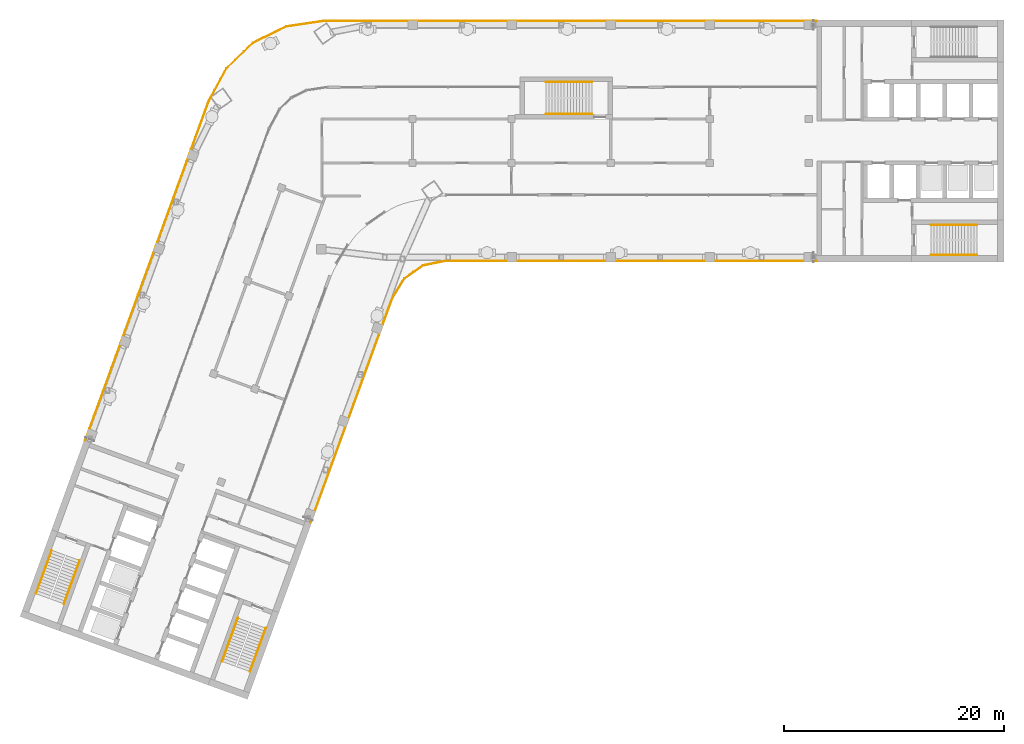
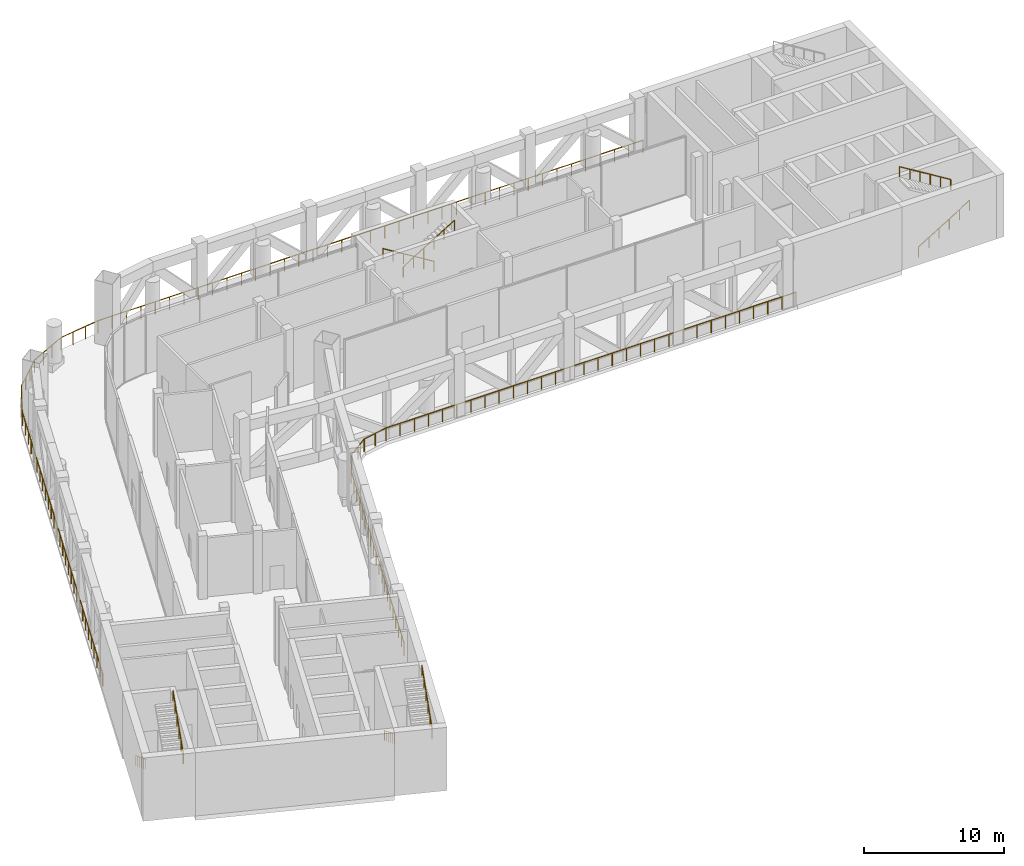
# One storey, part 16 of 19: 14 railings.
"""IFC4 building model written with IfcOpenShell, lengths in metres."""

from ifc_helpers import new_model, si_unit, direction, frame, origin, origin_2d, place, context, subcontext, project, spatial, circle, extrude, material, type_object, element, save


model = new_model("IFC4")

# Units and contexts
model_context = context("Model", 3, precision=1e-05, world=origin(), true_north=direction((0.0, 1.0)))
body_context = subcontext(model_context, "Body", "Model", "MODEL_VIEW")
ifc_project = project(units=[si_unit("LENGTHUNIT", "METRE"), si_unit("AREAUNIT", "SQUARE_METRE"), si_unit("VOLUMEUNIT", "CUBIC_METRE"), si_unit("PLANEANGLEUNIT", "RADIAN"), si_unit("MASSUNIT", "GRAM", prefix="KILO")], contexts=[model_context])

# Site, building, storey
site_placement = place(None, origin())
site = spatial("IfcSite", under=ifc_project, at=site_placement, CompositionType="ELEMENT")
building_placement = place(site_placement, origin())
building = spatial("IfcBuilding", under=site, at=building_placement, Name="Skarvind Civic Tower", CompositionType="ELEMENT")
storey_placement = place(building_placement, frame((0.0, 0.0, 129.0)))
storey = spatial("IfcBuildingStorey", under=building, at=storey_placement, Name="L30", CompositionType="ELEMENT", Elevation=129.0)

# Railings
ifc_material_1 = material(Name="Stainless steel balustrade", Category="steel")
railing_type_1 = type_object("IfcRailingType", Name="GR1 GUARD 1100", PredefinedType="GUARDRAIL", material=ifc_material_1)
railing_1_placement = place(storey_placement, frame((37.316650390625, 134.5830078125, 0.0)))
element("IfcRailing", 1, at=railing_1_placement, inside=storey, type_object=railing_type_1, Name="TERRACE GUARD", PredefinedType="GUARDRAIL", context=body_context, shape_type="SweptSolid", body=[
    extrude(circle(Radius=0.02392578125, at=origin_2d()), frame((0.0, 0.0, 1.076171875), z_axis=(0.72116914998, 0.69275901807, 0.0), x_axis=(-0.69275901807, 0.72116914998, 0.0)), (0.0, 0.0, 1.0), 3.377197265625),
    extrude(circle(Radius=0.02392578125, at=origin_2d()), frame((2.435546875, 2.339599609375, 1.076171875), z_axis=(0.897628432025, 0.440752989803, 0.0), x_axis=(-0.440752989803, 0.897628432025, 0.0)), (0.0, 0.0, 1.0), 3.36181640625),
    extrude(circle(Radius=0.02392578125, at=origin_2d()), frame((5.453125, 3.8212890625, 1.076171875), z_axis=(0.989124740539, 0.147079052395, 0.0), x_axis=(-0.147079052395, 0.989124740539, 0.0)), (0.0, 0.0, 1.0), 3.36962890625),
    extrude(circle(Radius=0.02392578125, at=origin_2d()), frame((8.7861328125, 4.31689453125, 1.076171875), z_axis=(1.0, 0.0, 0.0), x_axis=(0.0, 1.0, 0.0)), (0.0, 0.0, 1.0), 44.84716796875),
    extrude(circle(Radius=0.02099609375, at=origin_2d()), origin(), (0.0, 0.0, 1.0), 1.052001953125),
    extrude(circle(Radius=0.02099609375, at=origin_2d()), frame((0.811767578125, 0.77978515625, 0.0)), (0.0, 0.0, 1.0), 1.052001953125),
    extrude(circle(Radius=0.02099609375, at=origin_2d()), frame((1.623779296875, 1.559814453125, 0.0)), (0.0, 0.0, 1.0), 1.052001953125),
    extrude(circle(Radius=0.02099609375, at=origin_2d()), frame((2.435546875, 2.339599609375, 0.0)), (0.0, 0.0, 1.0), 1.052001953125),
    extrude(circle(Radius=0.02099609375, at=origin_2d()), frame((3.44140625, 2.83349609375, 0.0)), (0.0, 0.0, 1.0), 1.052001953125),
    extrude(circle(Radius=0.02099609375, at=origin_2d()), frame((4.447265625, 3.327392578125, 0.0)), (0.0, 0.0, 1.0), 1.052001953125),
    extrude(circle(Radius=0.02099609375, at=origin_2d()), frame((5.453125, 3.8212890625, 0.0)), (0.0, 0.0, 1.0), 1.052001953125),
    extrude(circle(Radius=0.02099609375, at=origin_2d()), frame((6.564208984375, 3.986572265625, 0.0)), (0.0, 0.0, 1.0), 1.052001953125),
    extrude(circle(Radius=0.02099609375, at=origin_2d()), frame((7.675048828125, 4.151611328125, 0.0)), (0.0, 0.0, 1.0), 1.052001953125),
    extrude(circle(Radius=0.02099609375, at=origin_2d()), frame((8.7861328125, 4.31689453125, 0.0)), (0.0, 0.0, 1.0), 1.052001953125),
    extrude(circle(Radius=0.02099609375, at=origin_2d()), frame((9.96630859375, 4.31689453125, 0.0)), (0.0, 0.0, 1.0), 1.052001953125),
    extrude(circle(Radius=0.02099609375, at=origin_2d()), frame((11.146484375, 4.31689453125, 0.0)), (0.0, 0.0, 1.0), 1.052001953125),
    extrude(circle(Radius=0.02099609375, at=origin_2d()), frame((12.32666015625, 4.31689453125, 0.0)), (0.0, 0.0, 1.0), 1.052001953125),
    extrude(circle(Radius=0.02099609375, at=origin_2d()), frame((13.5068359375, 4.31689453125, 0.0)), (0.0, 0.0, 1.0), 1.052001953125),
    extrude(circle(Radius=0.02099609375, at=origin_2d()), frame((14.68701171875, 4.31689453125, 0.0)), (0.0, 0.0, 1.0), 1.052001953125),
    extrude(circle(Radius=0.02099609375, at=origin_2d()), frame((15.8671875, 4.31689453125, 0.0)), (0.0, 0.0, 1.0), 1.052001953125),
    extrude(circle(Radius=0.02099609375, at=origin_2d()), frame((17.04736328125, 4.31689453125, 0.0)), (0.0, 0.0, 1.0), 1.052001953125),
    extrude(circle(Radius=0.02099609375, at=origin_2d()), frame((18.2275390625, 4.31689453125, 0.0)), (0.0, 0.0, 1.0), 1.052001953125),
    extrude(circle(Radius=0.02099609375, at=origin_2d()), frame((19.40771484375, 4.31689453125, 0.0)), (0.0, 0.0, 1.0), 1.052001953125),
    extrude(circle(Radius=0.02099609375, at=origin_2d()), frame((20.588134765625, 4.31689453125, 0.0)), (0.0, 0.0, 1.0), 1.052001953125),
    extrude(circle(Radius=0.02099609375, at=origin_2d()), frame((21.768310546875, 4.31689453125, 0.0)), (0.0, 0.0, 1.0), 1.052001953125),
    extrude(circle(Radius=0.02099609375, at=origin_2d()), frame((22.948486328125, 4.31689453125, 0.0)), (0.0, 0.0, 1.0), 1.052001953125),
    extrude(circle(Radius=0.02099609375, at=origin_2d()), frame((24.128662109375, 4.31689453125, 0.0)), (0.0, 0.0, 1.0), 1.052001953125),
    extrude(circle(Radius=0.02099609375, at=origin_2d()), frame((25.308837890625, 4.31689453125, 0.0)), (0.0, 0.0, 1.0), 1.052001953125),
    extrude(circle(Radius=0.02099609375, at=origin_2d()), frame((26.489013671875, 4.31689453125, 0.0)), (0.0, 0.0, 1.0), 1.052001953125),
    extrude(circle(Radius=0.02099609375, at=origin_2d()), frame((27.669189453125, 4.31689453125, 0.0)), (0.0, 0.0, 1.0), 1.052001953125),
    extrude(circle(Radius=0.02099609375, at=origin_2d()), frame((28.849365234375, 4.31689453125, 0.0)), (0.0, 0.0, 1.0), 1.052001953125),
    extrude(circle(Radius=0.02099609375, at=origin_2d()), frame((30.029541015625, 4.31689453125, 0.0)), (0.0, 0.0, 1.0), 1.052001953125),
    extrude(circle(Radius=0.02099609375, at=origin_2d()), frame((31.209716796875, 4.31689453125, 0.0)), (0.0, 0.0, 1.0), 1.052001953125),
    extrude(circle(Radius=0.02099609375, at=origin_2d()), frame((32.389892578125, 4.31689453125, 0.0)), (0.0, 0.0, 1.0), 1.052001953125),
    extrude(circle(Radius=0.02099609375, at=origin_2d()), frame((33.570068359375, 4.31689453125, 0.0)), (0.0, 0.0, 1.0), 1.052001953125),
    extrude(circle(Radius=0.02099609375, at=origin_2d()), frame((34.750244140625, 4.31689453125, 0.0)), (0.0, 0.0, 1.0), 1.052001953125),
    extrude(circle(Radius=0.02099609375, at=origin_2d()), frame((35.930419921875, 4.31689453125, 0.0)), (0.0, 0.0, 1.0), 1.052001953125),
    extrude(circle(Radius=0.02099609375, at=origin_2d()), frame((37.110595703125, 4.31689453125, 0.0)), (0.0, 0.0, 1.0), 1.052001953125),
    extrude(circle(Radius=0.02099609375, at=origin_2d()), frame((38.290771484375, 4.31689453125, 0.0)), (0.0, 0.0, 1.0), 1.052001953125),
    extrude(circle(Radius=0.02099609375, at=origin_2d()), frame((39.470947265625, 4.31689453125, 0.0)), (0.0, 0.0, 1.0), 1.052001953125),
    extrude(circle(Radius=0.02099609375, at=origin_2d()), frame((40.651123046875, 4.31689453125, 0.0)), (0.0, 0.0, 1.0), 1.052001953125),
    extrude(circle(Radius=0.02099609375, at=origin_2d()), frame((41.831298828125, 4.31689453125, 0.0)), (0.0, 0.0, 1.0), 1.052001953125),
    extrude(circle(Radius=0.02099609375, at=origin_2d()), frame((43.01171875, 4.31689453125, 0.0)), (0.0, 0.0, 1.0), 1.052001953125),
    extrude(circle(Radius=0.02099609375, at=origin_2d()), frame((44.19189453125, 4.31689453125, 0.0)), (0.0, 0.0, 1.0), 1.052001953125),
    extrude(circle(Radius=0.02099609375, at=origin_2d()), frame((45.3720703125, 4.31689453125, 0.0)), (0.0, 0.0, 1.0), 1.052001953125),
    extrude(circle(Radius=0.02099609375, at=origin_2d()), frame((46.55224609375, 4.31689453125, 0.0)), (0.0, 0.0, 1.0), 1.052001953125),
    extrude(circle(Radius=0.02099609375, at=origin_2d()), frame((47.732421875, 4.31689453125, 0.0)), (0.0, 0.0, 1.0), 1.052001953125),
    extrude(circle(Radius=0.02099609375, at=origin_2d()), frame((48.91259765625, 4.31689453125, 0.0)), (0.0, 0.0, 1.0), 1.052001953125),
    extrude(circle(Radius=0.02099609375, at=origin_2d()), frame((50.0927734375, 4.31689453125, 0.0)), (0.0, 0.0, 1.0), 1.052001953125),
    extrude(circle(Radius=0.02099609375, at=origin_2d()), frame((51.27294921875, 4.31689453125, 0.0)), (0.0, 0.0, 1.0), 1.052001953125),
    extrude(circle(Radius=0.02099609375, at=origin_2d()), frame((52.453125, 4.31689453125, 0.0)), (0.0, 0.0, 1.0), 1.052001953125),
    extrude(circle(Radius=0.02099609375, at=origin_2d()), frame((53.63330078125, 4.31689453125, 0.0)), (0.0, 0.0, 1.0), 1.052001953125),
])
railing_2_placement = place(storey_placement, frame((24.48779296875, 100.76513671875, 0.0)))
element("IfcRailing", 2, at=railing_2_placement, inside=storey, type_object=railing_type_1, Name="TERRACE GUARD", PredefinedType="GUARDRAIL", context=body_context, shape_type="SweptSolid", body=[
    extrude(circle(Radius=0.02392578125, at=origin_2d()), frame((0.0, 0.0, 1.076171875), z_axis=(0.342019954452, 0.93969268953, 0.0), x_axis=(-0.93969268953, 0.342019954452, 0.0)), (0.0, 0.0, 1.0), 32.84716796875),
    extrude(circle(Radius=0.02099609375, at=origin_2d()), origin(), (0.0, 0.0, 1.0), 1.052001953125),
    extrude(circle(Radius=0.02099609375, at=origin_2d()), frame((0.401123046875, 1.102294921875, 0.0)), (0.0, 0.0, 1.0), 1.052001953125),
    extrude(circle(Radius=0.02099609375, at=origin_2d()), frame((0.802490234375, 2.204833984375, 0.0)), (0.0, 0.0, 1.0), 1.052001953125),
    extrude(circle(Radius=0.02099609375, at=origin_2d()), frame((1.20361328125, 3.30712890625, 0.0)), (0.0, 0.0, 1.0), 1.052001953125),
    extrude(circle(Radius=0.02099609375, at=origin_2d()), frame((1.60498046875, 4.409423828125, 0.0)), (0.0, 0.0, 1.0), 1.052001953125),
    extrude(circle(Radius=0.02099609375, at=origin_2d()), frame((2.006103515625, 5.51171875, 0.0)), (0.0, 0.0, 1.0), 1.052001953125),
    extrude(circle(Radius=0.02099609375, at=origin_2d()), frame((2.407470703125, 6.6142578125, 0.0)), (0.0, 0.0, 1.0), 1.052001953125),
    extrude(circle(Radius=0.02099609375, at=origin_2d()), frame((2.80859375, 7.716552734375, 0.0)), (0.0, 0.0, 1.0), 1.052001953125),
    extrude(circle(Radius=0.02099609375, at=origin_2d()), frame((3.209716796875, 8.81884765625, 0.0)), (0.0, 0.0, 1.0), 1.052001953125),
    extrude(circle(Radius=0.02099609375, at=origin_2d()), frame((3.611083984375, 9.92138671875, 0.0)), (0.0, 0.0, 1.0), 1.052001953125),
    extrude(circle(Radius=0.02099609375, at=origin_2d()), frame((4.01220703125, 11.023681640625, 0.0)), (0.0, 0.0, 1.0), 1.052001953125),
    extrude(circle(Radius=0.02099609375, at=origin_2d()), frame((4.41357421875, 12.1259765625, 0.0)), (0.0, 0.0, 1.0), 1.052001953125),
    extrude(circle(Radius=0.02099609375, at=origin_2d()), frame((4.814697265625, 13.228271484375, 0.0)), (0.0, 0.0, 1.0), 1.052001953125),
    extrude(circle(Radius=0.02099609375, at=origin_2d()), frame((5.216064453125, 14.330810546875, 0.0)), (0.0, 0.0, 1.0), 1.052001953125),
    extrude(circle(Radius=0.02099609375, at=origin_2d()), frame((5.6171875, 15.43310546875, 0.0)), (0.0, 0.0, 1.0), 1.052001953125),
    extrude(circle(Radius=0.02099609375, at=origin_2d()), frame((6.018310546875, 16.535400390625, 0.0)), (0.0, 0.0, 1.0), 1.052001953125),
    extrude(circle(Radius=0.02099609375, at=origin_2d()), frame((6.419677734375, 17.637939453125, 0.0)), (0.0, 0.0, 1.0), 1.052001953125),
    extrude(circle(Radius=0.02099609375, at=origin_2d()), frame((6.82080078125, 18.740234375, 0.0)), (0.0, 0.0, 1.0), 1.052001953125),
    extrude(circle(Radius=0.02099609375, at=origin_2d()), frame((7.22216796875, 19.842529296875, 0.0)), (0.0, 0.0, 1.0), 1.052001953125),
    extrude(circle(Radius=0.02099609375, at=origin_2d()), frame((7.623291015625, 20.94482421875, 0.0)), (0.0, 0.0, 1.0), 1.052001953125),
    extrude(circle(Radius=0.02099609375, at=origin_2d()), frame((8.024658203125, 22.04736328125, 0.0)), (0.0, 0.0, 1.0), 1.052001953125),
    extrude(circle(Radius=0.02099609375, at=origin_2d()), frame((8.42578125, 23.149658203125, 0.0)), (0.0, 0.0, 1.0), 1.052001953125),
    extrude(circle(Radius=0.02099609375, at=origin_2d()), frame((8.826904296875, 24.251953125, 0.0)), (0.0, 0.0, 1.0), 1.052001953125),
    extrude(circle(Radius=0.02099609375, at=origin_2d()), frame((9.228271484375, 25.3544921875, 0.0)), (0.0, 0.0, 1.0), 1.052001953125),
    extrude(circle(Radius=0.02099609375, at=origin_2d()), frame((9.62939453125, 26.456787109375, 0.0)), (0.0, 0.0, 1.0), 1.052001953125),
    extrude(circle(Radius=0.02099609375, at=origin_2d()), frame((10.03076171875, 27.55908203125, 0.0)), (0.0, 0.0, 1.0), 1.052001953125),
    extrude(circle(Radius=0.02099609375, at=origin_2d()), frame((10.431884765625, 28.661376953125, 0.0)), (0.0, 0.0, 1.0), 1.052001953125),
    extrude(circle(Radius=0.02099609375, at=origin_2d()), frame((10.833251953125, 29.763916015625, 0.0)), (0.0, 0.0, 1.0), 1.052001953125),
    extrude(circle(Radius=0.02099609375, at=origin_2d()), frame((11.234375, 30.8662109375, 0.0)), (0.0, 0.0, 1.0), 1.052001953125),
])
railing_3_placement = place(storey_placement, frame((35.72216796875, 131.63134765625, 0.0)))
element("IfcRailing", 3, at=railing_3_placement, inside=storey, type_object=railing_type_1, Name="TERRACE GUARD", PredefinedType="GUARDRAIL", context=body_context, shape_type="SweptSolid", body=[
    extrude(circle(Radius=0.02392578125, at=origin_2d()), frame((0.0, 0.0, 1.076171875), z_axis=(0.476536354309, 0.879154766251, 0.0), x_axis=(-0.879154766251, 0.476536354309, 0.0)), (0.0, 0.0, 1.0), 3.385498046875),
    extrude(circle(Radius=0.02099609375, at=origin_2d()), origin(), (0.0, 0.0, 1.0), 1.052001953125),
    extrude(circle(Radius=0.02099609375, at=origin_2d()), frame((0.537841796875, 0.9921875, 0.0)), (0.0, 0.0, 1.0), 1.052001953125),
    extrude(circle(Radius=0.02099609375, at=origin_2d()), frame((1.075439453125, 1.984130859375, 0.0)), (0.0, 0.0, 1.0), 1.052001953125),
    extrude(circle(Radius=0.02099609375, at=origin_2d()), frame((1.61328125, 2.976318359375, 0.0)), (0.0, 0.0, 1.0), 1.052001953125),
])
railing_4_placement = place(storey_placement, frame((55.176513671875, 116.675048828125, 0.0)))
element("IfcRailing", 4, at=railing_4_placement, inside=storey, type_object=railing_type_1, Name="TERRACE GUARD", PredefinedType="GUARDRAIL", context=body_context, shape_type="SweptSolid", body=[
    extrude(circle(Radius=0.02392578125, at=origin_2d()), frame((0.0, 0.0, 1.076171875), z_axis=(-0.819142957815, -0.573589412963, 0.0), x_axis=(0.573589412963, -0.819142957815, 0.0)), (0.0, 0.0, 1.0), 2.06298828125),
    extrude(circle(Radius=0.02392578125, at=origin_2d()), frame((-1.68994140625, -1.183349609375, 1.076171875), z_axis=(-0.522473695222, -0.8526554039, 0.0), x_axis=(0.8526554039, -0.522473695222, 0.0)), (0.0, 0.0, 1.0), 2.0732421875),
    extrude(circle(Radius=0.02392578125, at=origin_2d()), frame((-2.773193359375, -2.951171875, 1.076171875), z_axis=(-0.342011936597, -0.93969560775, 0.0), x_axis=(0.93969560775, -0.342011936597, 0.0)), (0.0, 0.0, 1.0), 21.724853515625),
    extrude(circle(Radius=0.02099609375, at=origin_2d()), origin(), (0.0, 0.0, 1.0), 1.052001953125),
    extrude(circle(Radius=0.02099609375, at=origin_2d()), frame((-0.844970703125, -0.591796875, 0.0)), (0.0, 0.0, 1.0), 1.052001953125),
    extrude(circle(Radius=0.02099609375, at=origin_2d()), frame((-1.68994140625, -1.183349609375, 0.0)), (0.0, 0.0, 1.0), 1.052001953125),
    extrude(circle(Radius=0.02099609375, at=origin_2d()), frame((-2.2314453125, -2.0673828125, 0.0)), (0.0, 0.0, 1.0), 1.052001953125),
    extrude(circle(Radius=0.02099609375, at=origin_2d()), frame((-2.773193359375, -2.951171875, 0.0)), (0.0, 0.0, 1.0), 1.052001953125),
    extrude(circle(Radius=0.02099609375, at=origin_2d()), frame((-3.164306640625, -4.025634765625, 0.0)), (0.0, 0.0, 1.0), 1.052001953125),
    extrude(circle(Radius=0.02099609375, at=origin_2d()), frame((-3.555419921875, -5.10009765625, 0.0)), (0.0, 0.0, 1.0), 1.052001953125),
    extrude(circle(Radius=0.02099609375, at=origin_2d()), frame((-3.9462890625, -6.174560546875, 0.0)), (0.0, 0.0, 1.0), 1.052001953125),
    extrude(circle(Radius=0.02099609375, at=origin_2d()), frame((-4.33740234375, -7.2490234375, 0.0)), (0.0, 0.0, 1.0), 1.052001953125),
    extrude(circle(Radius=0.02099609375, at=origin_2d()), frame((-4.728515625, -8.323486328125, 0.0)), (0.0, 0.0, 1.0), 1.052001953125),
    extrude(circle(Radius=0.02099609375, at=origin_2d()), frame((-5.11962890625, -9.39794921875, 0.0)), (0.0, 0.0, 1.0), 1.052001953125),
    extrude(circle(Radius=0.02099609375, at=origin_2d()), frame((-5.5107421875, -10.472412109375, 0.0)), (0.0, 0.0, 1.0), 1.052001953125),
    extrude(circle(Radius=0.02099609375, at=origin_2d()), frame((-5.901611328125, -11.546875, 0.0)), (0.0, 0.0, 1.0), 1.052001953125),
    extrude(circle(Radius=0.02099609375, at=origin_2d()), frame((-6.292724609375, -12.621337890625, 0.0)), (0.0, 0.0, 1.0), 1.052001953125),
    extrude(circle(Radius=0.02099609375, at=origin_2d()), frame((-6.683837890625, -13.69580078125, 0.0)), (0.0, 0.0, 1.0), 1.052001953125),
    extrude(circle(Radius=0.02099609375, at=origin_2d()), frame((-7.074951171875, -14.770263671875, 0.0)), (0.0, 0.0, 1.0), 1.052001953125),
    extrude(circle(Radius=0.02099609375, at=origin_2d()), frame((-7.4658203125, -15.8447265625, 0.0)), (0.0, 0.0, 1.0), 1.052001953125),
    extrude(circle(Radius=0.02099609375, at=origin_2d()), frame((-7.85693359375, -16.919189453125, 0.0)), (0.0, 0.0, 1.0), 1.052001953125),
    extrude(circle(Radius=0.02099609375, at=origin_2d()), frame((-8.248046875, -17.99365234375, 0.0)), (0.0, 0.0, 1.0), 1.052001953125),
    extrude(circle(Radius=0.02099609375, at=origin_2d()), frame((-8.63916015625, -19.068115234375, 0.0)), (0.0, 0.0, 1.0), 1.052001953125),
    extrude(circle(Radius=0.02099609375, at=origin_2d()), frame((-9.0302734375, -20.142578125, 0.0)), (0.0, 0.0, 1.0), 1.052001953125),
    extrude(circle(Radius=0.02099609375, at=origin_2d()), frame((-9.421142578125, -21.217041015625, 0.0)), (0.0, 0.0, 1.0), 1.052001953125),
    extrude(circle(Radius=0.02099609375, at=origin_2d()), frame((-9.812255859375, -22.29150390625, 0.0)), (0.0, 0.0, 1.0), 1.052001953125),
    extrude(circle(Radius=0.02099609375, at=origin_2d()), frame((-10.203369140625, -23.365966796875, 0.0)), (0.0, 0.0, 1.0), 1.052001953125),
])
railing_5_placement = place(storey_placement, frame((90.949951171875, 117.10009765625, 0.0)))
element("IfcRailing", 5, at=railing_5_placement, inside=storey, type_object=railing_type_1, Name="TERRACE GUARD", PredefinedType="GUARDRAIL", context=body_context, shape_type="SweptSolid", body=[
    extrude(circle(Radius=0.02392578125, at=origin_2d()), frame((0.0, 0.0, 1.076171875), z_axis=(-1.0, 0.0, 0.0), x_axis=(0.0, -1.0, 0.0)), (0.0, 0.0, 1.0), 33.724853515625),
    extrude(circle(Radius=0.02099609375, at=origin_2d()), origin(), (0.0, 0.0, 1.0), 1.052001953125),
    extrude(circle(Radius=0.02099609375, at=origin_2d()), frame((-1.162841796875, 0.0, 0.0)), (0.0, 0.0, 1.0), 1.052001953125),
    extrude(circle(Radius=0.02099609375, at=origin_2d()), frame((-2.325927734375, 0.0, 0.0)), (0.0, 0.0, 1.0), 1.052001953125),
    extrude(circle(Radius=0.02099609375, at=origin_2d()), frame((-3.48876953125, 0.0, 0.0)), (0.0, 0.0, 1.0), 1.052001953125),
    extrude(circle(Radius=0.02099609375, at=origin_2d()), frame((-4.651611328125, 0.0, 0.0)), (0.0, 0.0, 1.0), 1.052001953125),
    extrude(circle(Radius=0.02099609375, at=origin_2d()), frame((-5.814697265625, 0.0, 0.0)), (0.0, 0.0, 1.0), 1.052001953125),
    extrude(circle(Radius=0.02099609375, at=origin_2d()), frame((-6.9775390625, 0.0, 0.0)), (0.0, 0.0, 1.0), 1.052001953125),
    extrude(circle(Radius=0.02099609375, at=origin_2d()), frame((-8.140380859375, 0.0, 0.0)), (0.0, 0.0, 1.0), 1.052001953125),
    extrude(circle(Radius=0.02099609375, at=origin_2d()), frame((-9.303466796875, 0.0, 0.0)), (0.0, 0.0, 1.0), 1.052001953125),
    extrude(circle(Radius=0.02099609375, at=origin_2d()), frame((-10.46630859375, 0.0, 0.0)), (0.0, 0.0, 1.0), 1.052001953125),
    extrude(circle(Radius=0.02099609375, at=origin_2d()), frame((-11.629150390625, 0.0, 0.0)), (0.0, 0.0, 1.0), 1.052001953125),
    extrude(circle(Radius=0.02099609375, at=origin_2d()), frame((-12.792236328125, 0.0, 0.0)), (0.0, 0.0, 1.0), 1.052001953125),
    extrude(circle(Radius=0.02099609375, at=origin_2d()), frame((-13.955078125, 0.0, 0.0)), (0.0, 0.0, 1.0), 1.052001953125),
    extrude(circle(Radius=0.02099609375, at=origin_2d()), frame((-15.117919921875, 0.0, 0.0)), (0.0, 0.0, 1.0), 1.052001953125),
    extrude(circle(Radius=0.02099609375, at=origin_2d()), frame((-16.281005859375, 0.0, 0.0)), (0.0, 0.0, 1.0), 1.052001953125),
    extrude(circle(Radius=0.02099609375, at=origin_2d()), frame((-17.44384765625, 0.0, 0.0)), (0.0, 0.0, 1.0), 1.052001953125),
    extrude(circle(Radius=0.02099609375, at=origin_2d()), frame((-18.60693359375, 0.0, 0.0)), (0.0, 0.0, 1.0), 1.052001953125),
    extrude(circle(Radius=0.02099609375, at=origin_2d()), frame((-19.769775390625, 0.0, 0.0)), (0.0, 0.0, 1.0), 1.052001953125),
    extrude(circle(Radius=0.02099609375, at=origin_2d()), frame((-20.9326171875, 0.0, 0.0)), (0.0, 0.0, 1.0), 1.052001953125),
    extrude(circle(Radius=0.02099609375, at=origin_2d()), frame((-22.095703125, 0.0, 0.0)), (0.0, 0.0, 1.0), 1.052001953125),
    extrude(circle(Radius=0.02099609375, at=origin_2d()), frame((-23.258544921875, 0.0, 0.0)), (0.0, 0.0, 1.0), 1.052001953125),
    extrude(circle(Radius=0.02099609375, at=origin_2d()), frame((-24.42138671875, 0.0, 0.0)), (0.0, 0.0, 1.0), 1.052001953125),
    extrude(circle(Radius=0.02099609375, at=origin_2d()), frame((-25.58447265625, 0.0, 0.0)), (0.0, 0.0, 1.0), 1.052001953125),
    extrude(circle(Radius=0.02099609375, at=origin_2d()), frame((-26.747314453125, 0.0, 0.0)), (0.0, 0.0, 1.0), 1.052001953125),
    extrude(circle(Radius=0.02099609375, at=origin_2d()), frame((-27.91015625, 0.0, 0.0)), (0.0, 0.0, 1.0), 1.052001953125),
    extrude(circle(Radius=0.02099609375, at=origin_2d()), frame((-29.0732421875, 0.0, 0.0)), (0.0, 0.0, 1.0), 1.052001953125),
    extrude(circle(Radius=0.02099609375, at=origin_2d()), frame((-30.236083984375, 0.0, 0.0)), (0.0, 0.0, 1.0), 1.052001953125),
    extrude(circle(Radius=0.02099609375, at=origin_2d()), frame((-31.39892578125, 0.0, 0.0)), (0.0, 0.0, 1.0), 1.052001953125),
    extrude(circle(Radius=0.02099609375, at=origin_2d()), frame((-32.56201171875, 0.0, 0.0)), (0.0, 0.0, 1.0), 1.052001953125),
    extrude(circle(Radius=0.02099609375, at=origin_2d()), frame((-33.724853515625, 0.0, 0.0)), (0.0, 0.0, 1.0), 1.052001953125),
])
railing_6_placement = place(storey_placement, frame((57.22509765625, 117.10009765625, 0.0)))
element("IfcRailing", 6, at=railing_6_placement, inside=storey, type_object=railing_type_1, Name="TERRACE GUARD", PredefinedType="GUARDRAIL", context=body_context, shape_type="SweptSolid", body=[
    extrude(circle(Radius=0.02392578125, at=origin_2d()), frame((0.0, 0.0, 1.076171875), z_axis=(-0.979925635165, -0.19936336059, 0.0), x_axis=(0.19936336059, -0.979925635165, 0.0)), (0.0, 0.0, 1.0), 2.052490234375),
    extrude(circle(Radius=0.02099609375, at=origin_2d()), origin(), (0.0, 0.0, 1.0), 1.052001953125),
    extrude(circle(Radius=0.02099609375, at=origin_2d()), frame((-1.005615234375, -0.20458984375, 0.0)), (0.0, 0.0, 1.0), 1.052001953125),
    extrude(circle(Radius=0.02099609375, at=origin_2d()), frame((-2.01123046875, -0.4091796875, 0.0)), (0.0, 0.0, 1.0), 1.052001953125),
])
ifc_material_2 = material(Name="Painted steel handrail", Category="steel")
railing_type_2 = type_object("IfcRailingType", Name="Stair handrail 900", PredefinedType="HANDRAIL", material=ifc_material_2)
railing_7_placement = place(storey_placement, frame((101.35009765625, 117.64990234375, 0.171875)))
element("IfcRailing", 7, at=railing_7_placement, inside=storey, type_object=railing_type_2, Name="Stair handrail", PredefinedType="HANDRAIL", context=body_context, shape_type="SweptSolid", body=[
    extrude(circle(Radius=0.02392578125, at=origin_2d()), frame((0.0, 0.0, 0.8759765625), z_axis=(0.852242915053, 0.0, 0.523146264196), x_axis=(0.0, 1.0, 0.0)), (0.0, 0.0, 1.0), 4.92822265625),
    extrude(circle(Radius=0.02099609375, at=origin_2d()), origin(), (0.0, 0.0, 1.0), 0.851806640625),
    extrude(circle(Radius=0.02099609375, at=origin_2d()), frame((0.840087890625, 0.0, 0.515625)), (0.0, 0.0, 1.0), 0.851806640625),
    extrude(circle(Radius=0.02099609375, at=origin_2d()), frame((1.679931640625, 0.0, 1.03125)), (0.0, 0.0, 1.0), 0.851806640625),
    extrude(circle(Radius=0.02099609375, at=origin_2d()), frame((2.52001953125, 0.0, 1.546875)), (0.0, 0.0, 1.0), 0.851806640625),
    extrude(circle(Radius=0.02099609375, at=origin_2d()), frame((3.35986328125, 0.0, 2.0625)), (0.0, 0.0, 1.0), 0.851806640625),
    extrude(circle(Radius=0.02099609375, at=origin_2d()), frame((4.199951171875, 0.0, 2.578125)), (0.0, 0.0, 1.0), 0.851806640625),
])
railing_8_placement = place(storey_placement, frame((105.550048828125, 120.35009765625, 2.921875)))
element("IfcRailing", 8, at=railing_8_placement, inside=storey, type_object=railing_type_2, Name="Stair handrail", PredefinedType="HANDRAIL", context=body_context, shape_type="SweptSolid", body=[
    extrude(circle(Radius=0.02392578125, at=origin_2d()), frame((0.0, 0.0, 0.8759765625), z_axis=(-0.852242915053, 0.0, 0.523146264196), x_axis=(0.0, -1.0, 0.0)), (0.0, 0.0, 1.0), 4.92822265625),
    extrude(circle(Radius=0.02099609375, at=origin_2d()), origin(), (0.0, 0.0, 1.0), 0.851806640625),
    extrude(circle(Radius=0.02099609375, at=origin_2d()), frame((-0.840087890625, 0.0, 0.515625)), (0.0, 0.0, 1.0), 0.851806640625),
    extrude(circle(Radius=0.02099609375, at=origin_2d()), frame((-1.679931640625, 0.0, 1.03125)), (0.0, 0.0, 1.0), 0.851806640625),
    extrude(circle(Radius=0.02099609375, at=origin_2d()), frame((-2.52001953125, 0.0, 1.546875)), (0.0, 0.0, 1.0), 0.851806640625),
    extrude(circle(Radius=0.02099609375, at=origin_2d()), frame((-3.35986328125, 0.0, 2.0625)), (0.0, 0.0, 1.0), 0.851806640625),
    extrude(circle(Radius=0.02099609375, at=origin_2d()), frame((-4.199951171875, 0.0, 2.578125)), (0.0, 0.0, 1.0), 0.851806640625),
])
railing_9_placement = place(storey_placement, frame((38.362060546875, 84.64794921875, 0.171875)))
element("IfcRailing", 9, at=railing_9_placement, inside=storey, type_object=railing_type_2, Name="Stair handrail", PredefinedType="HANDRAIL", context=body_context, shape_type="SweptSolid", body=[
    extrude(circle(Radius=0.02392578125, at=origin_2d()), frame((0.0, 0.0, 0.8759765625), z_axis=(-0.291489145174, -0.800852059973, 0.523134835662), x_axis=(0.939691552312, -0.342023078919, 0.0)), (0.0, 0.0, 1.0), 4.92822265625),
    extrude(circle(Radius=0.02099609375, at=origin_2d()), origin(), (0.0, 0.0, 1.0), 0.851806640625),
    extrude(circle(Radius=0.02099609375, at=origin_2d()), frame((-0.287353515625, -0.789306640625, 0.515625)), (0.0, 0.0, 1.0), 0.851806640625),
    extrude(circle(Radius=0.02099609375, at=origin_2d()), frame((-0.57470703125, -1.57861328125, 1.03125)), (0.0, 0.0, 1.0), 0.851806640625),
    extrude(circle(Radius=0.02099609375, at=origin_2d()), frame((-0.86181640625, -2.3681640625, 1.546875)), (0.0, 0.0, 1.0), 0.851806640625),
    extrude(circle(Radius=0.02099609375, at=origin_2d()), frame((-1.149169921875, -3.157470703125, 2.0625)), (0.0, 0.0, 1.0), 0.851806640625),
    extrude(circle(Radius=0.02099609375, at=origin_2d()), frame((-1.4365234375, -3.94677734375, 2.578125)), (0.0, 0.0, 1.0), 0.851806640625),
])
railing_10_placement = place(storey_placement, frame((39.462646484375, 79.777587890625, 2.921875)))
element("IfcRailing", 10, at=railing_10_placement, inside=storey, type_object=railing_type_2, Name="Stair handrail", PredefinedType="HANDRAIL", context=body_context, shape_type="SweptSolid", body=[
    extrude(circle(Radius=0.02392578125, at=origin_2d()), frame((0.0, 0.0, 0.8759765625), z_axis=(0.291489145174, 0.800852059973, 0.523134835662), x_axis=(-0.939691552312, 0.342023078919, 0.0)), (0.0, 0.0, 1.0), 4.92822265625),
    extrude(circle(Radius=0.02099609375, at=origin_2d()), origin(), (0.0, 0.0, 1.0), 0.851806640625),
    extrude(circle(Radius=0.02099609375, at=origin_2d()), frame((0.287353515625, 0.789306640625, 0.515625)), (0.0, 0.0, 1.0), 0.851806640625),
    extrude(circle(Radius=0.02099609375, at=origin_2d()), frame((0.57470703125, 1.57861328125, 1.03125)), (0.0, 0.0, 1.0), 0.851806640625),
    extrude(circle(Radius=0.02099609375, at=origin_2d()), frame((0.86181640625, 2.3681640625, 1.546875)), (0.0, 0.0, 1.0), 0.851806640625),
    extrude(circle(Radius=0.02099609375, at=origin_2d()), frame((1.149169921875, 3.157470703125, 2.0625)), (0.0, 0.0, 1.0), 0.851806640625),
    extrude(circle(Radius=0.02099609375, at=origin_2d()), frame((1.4365234375, 3.94677734375, 2.578125)), (0.0, 0.0, 1.0), 0.851806640625),
])
railing_11_placement = place(storey_placement, frame((21.447509765625, 90.80419921875, 0.171875)))
element("IfcRailing", 11, at=railing_11_placement, inside=storey, type_object=railing_type_2, Name="Stair handrail", PredefinedType="HANDRAIL", context=body_context, shape_type="SweptSolid", body=[
    extrude(circle(Radius=0.02392578125, at=origin_2d()), frame((0.0, 0.0, 0.8759765625), z_axis=(-0.291443814059, -0.800863623675, 0.523142389336), x_axis=(0.939710233287, -0.341971749501, 0.0)), (0.0, 0.0, 1.0), 4.92822265625),
    extrude(circle(Radius=0.02099609375, at=origin_2d()), origin(), (0.0, 0.0, 1.0), 0.851806640625),
    extrude(circle(Radius=0.02099609375, at=origin_2d()), frame((-0.287353515625, -0.789306640625, 0.515625)), (0.0, 0.0, 1.0), 0.851806640625),
    extrude(circle(Radius=0.02099609375, at=origin_2d()), frame((-0.574462890625, -1.57861328125, 1.03125)), (0.0, 0.0, 1.0), 0.851806640625),
    extrude(circle(Radius=0.02099609375, at=origin_2d()), frame((-0.86181640625, -2.3681640625, 1.546875)), (0.0, 0.0, 1.0), 0.851806640625),
    extrude(circle(Radius=0.02099609375, at=origin_2d()), frame((-1.14892578125, -3.157470703125, 2.0625)), (0.0, 0.0, 1.0), 0.851806640625),
    extrude(circle(Radius=0.02099609375, at=origin_2d()), frame((-1.436279296875, -3.94677734375, 2.578125)), (0.0, 0.0, 1.0), 0.851806640625),
])
railing_12_placement = place(storey_placement, frame((22.54833984375, 85.93408203125, 2.921875)))
element("IfcRailing", 12, at=railing_12_placement, inside=storey, type_object=railing_type_2, Name="Stair handrail", PredefinedType="HANDRAIL", context=body_context, shape_type="SweptSolid", body=[
    extrude(circle(Radius=0.02392578125, at=origin_2d()), frame((0.0, 0.0, 0.8759765625), z_axis=(0.291489145174, 0.800852059973, 0.523134835662), x_axis=(-0.939691552312, 0.342023078919, 0.0)), (0.0, 0.0, 1.0), 4.92822265625),
    extrude(circle(Radius=0.02099609375, at=origin_2d()), origin(), (0.0, 0.0, 1.0), 0.851806640625),
    extrude(circle(Radius=0.02099609375, at=origin_2d()), frame((0.287353515625, 0.789306640625, 0.515625)), (0.0, 0.0, 1.0), 0.851806640625),
    extrude(circle(Radius=0.02099609375, at=origin_2d()), frame((0.57470703125, 1.57861328125, 1.03125)), (0.0, 0.0, 1.0), 0.851806640625),
    extrude(circle(Radius=0.02099609375, at=origin_2d()), frame((0.86181640625, 2.3681640625, 1.546875)), (0.0, 0.0, 1.0), 0.851806640625),
    extrude(circle(Radius=0.02099609375, at=origin_2d()), frame((1.149169921875, 3.157470703125, 2.0625)), (0.0, 0.0, 1.0), 0.851806640625),
    extrude(circle(Radius=0.02099609375, at=origin_2d()), frame((1.4365234375, 3.94677734375, 2.578125)), (0.0, 0.0, 1.0), 0.851806640625),
])
railing_13_placement = place(storey_placement, frame((70.550048828125, 133.35009765625, 0.171875)))
element("IfcRailing", 13, at=railing_13_placement, inside=storey, type_object=railing_type_2, Name="Stair handrail", PredefinedType="HANDRAIL", context=body_context, shape_type="SweptSolid", body=[
    extrude(circle(Radius=0.02392578125, at=origin_2d()), frame((0.0, 0.0, 0.8759765625), z_axis=(-0.852242915053, 0.0, 0.523146264196), x_axis=(0.0, -1.0, 0.0)), (0.0, 0.0, 1.0), 4.92822265625),
    extrude(circle(Radius=0.02099609375, at=origin_2d()), origin(), (0.0, 0.0, 1.0), 0.851806640625),
    extrude(circle(Radius=0.02099609375, at=origin_2d()), frame((-0.840087890625, 0.0, 0.515625)), (0.0, 0.0, 1.0), 0.851806640625),
    extrude(circle(Radius=0.02099609375, at=origin_2d()), frame((-1.679931640625, 0.0, 1.03125)), (0.0, 0.0, 1.0), 0.851806640625),
    extrude(circle(Radius=0.02099609375, at=origin_2d()), frame((-2.52001953125, 0.0, 1.546875)), (0.0, 0.0, 1.0), 0.851806640625),
    extrude(circle(Radius=0.02099609375, at=origin_2d()), frame((-3.35986328125, 0.0, 2.0625)), (0.0, 0.0, 1.0), 0.851806640625),
    extrude(circle(Radius=0.02099609375, at=origin_2d()), frame((-4.199951171875, 0.0, 2.578125)), (0.0, 0.0, 1.0), 0.851806640625),
])
railing_14_placement = place(storey_placement, frame((66.35009765625, 130.449951171875, 2.921875)))
element("IfcRailing", 14, at=railing_14_placement, inside=storey, type_object=railing_type_2, Name="Stair handrail", PredefinedType="HANDRAIL", context=body_context, shape_type="SweptSolid", body=[
    extrude(circle(Radius=0.02392578125, at=origin_2d()), frame((0.0, 0.0, 0.8759765625), z_axis=(0.852242915053, 0.0, 0.523146264196), x_axis=(0.0, 1.0, 0.0)), (0.0, 0.0, 1.0), 4.92822265625),
    extrude(circle(Radius=0.02099609375, at=origin_2d()), origin(), (0.0, 0.0, 1.0), 0.851806640625),
    extrude(circle(Radius=0.02099609375, at=origin_2d()), frame((0.840087890625, 0.0, 0.515625)), (0.0, 0.0, 1.0), 0.851806640625),
    extrude(circle(Radius=0.02099609375, at=origin_2d()), frame((1.679931640625, 0.0, 1.03125)), (0.0, 0.0, 1.0), 0.851806640625),
    extrude(circle(Radius=0.02099609375, at=origin_2d()), frame((2.52001953125, 0.0, 1.546875)), (0.0, 0.0, 1.0), 0.851806640625),
    extrude(circle(Radius=0.02099609375, at=origin_2d()), frame((3.35986328125, 0.0, 2.0625)), (0.0, 0.0, 1.0), 0.851806640625),
    extrude(circle(Radius=0.02099609375, at=origin_2d()), frame((4.199951171875, 0.0, 2.578125)), (0.0, 0.0, 1.0), 0.851806640625),
])

save(model, "model.ifc")
